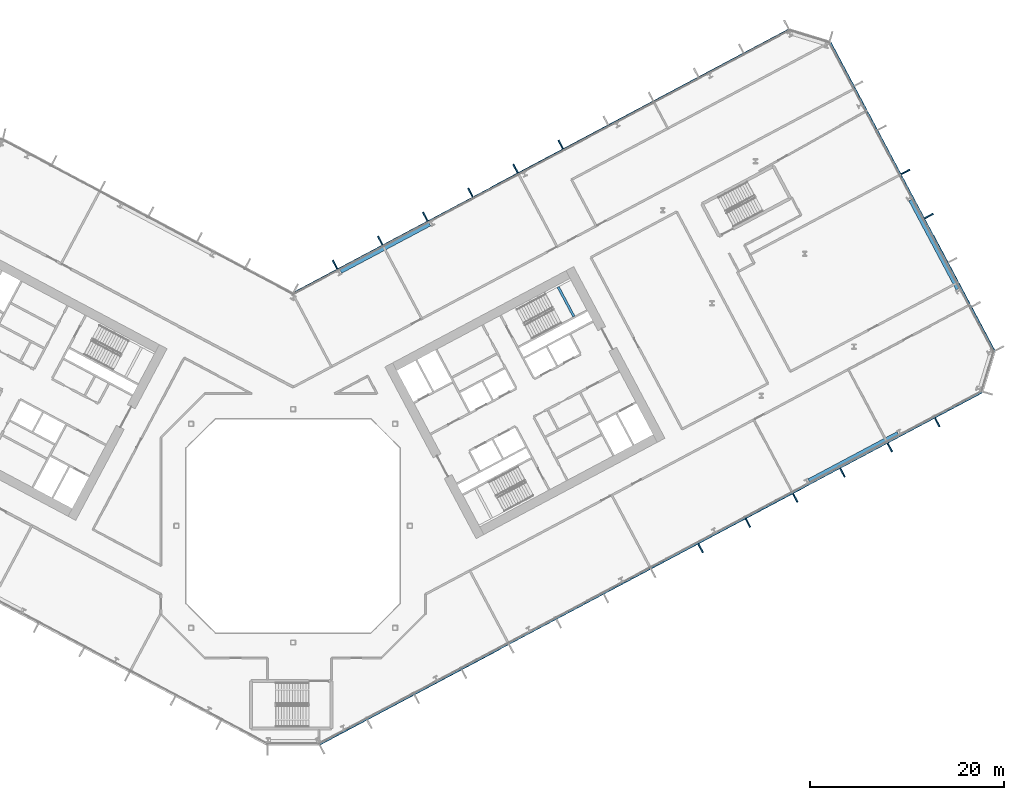
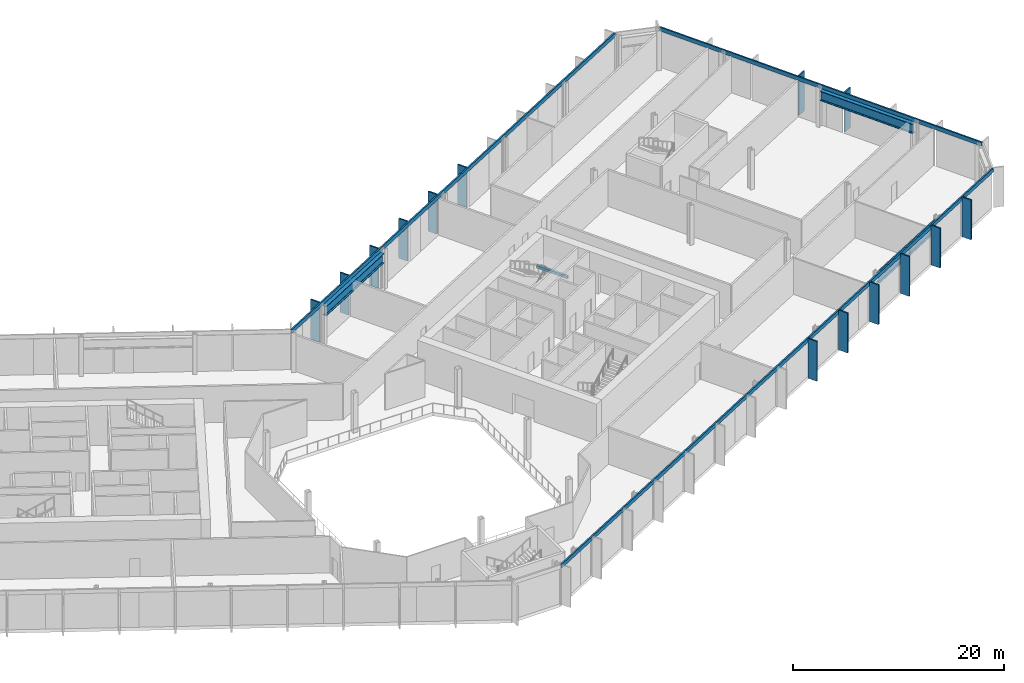
# One storey, part 8 of 31: 17 members, 4 beams, 3 elements without a shape of their own.
"""IFC4 building model written with IfcOpenShell, lengths in metres."""

from ifc_helpers import new_model, si_unit, direction, frame, origin, origin_2d, place, context, subcontext, project, spatial, rectangle, i_section, extrude, material, layer, layer_set, material_profile, profile_set, type_object, element, aggregate, save


model = new_model("IFC4")

# Units and contexts
model_context = context("Model", 3, precision=1e-05, world=origin(), true_north=direction((0.0, 1.0)))
body_context = subcontext(model_context, "Body", "Model", "MODEL_VIEW")
ifc_project = project(units=[si_unit("LENGTHUNIT", "METRE"), si_unit("AREAUNIT", "SQUARE_METRE"), si_unit("VOLUMEUNIT", "CUBIC_METRE"), si_unit("PLANEANGLEUNIT", "RADIAN"), si_unit("MASSUNIT", "GRAM", prefix="KILO")], contexts=[model_context])

# Site, building, storey
site_placement = place(None, origin())
site = spatial("IfcSite", under=ifc_project, at=site_placement, CompositionType="ELEMENT")
building_placement = place(site_placement, origin())
building = spatial("IfcBuilding", under=site, at=building_placement, Name="Cormorant Relay Tower", CompositionType="ELEMENT")
storey_placement = place(building_placement, frame((0.0, 0.0, 93.800048828125)))
storey = spatial("IfcBuildingStorey", under=building, at=storey_placement, Name="L18", CompositionType="ELEMENT", Elevation=93.800048828125)

# Curtain wall, members
ifc_material_1 = material(Name="Aluminium 6063-T6 anodised bronze", Category="aluminium")
ifc_layer = layer(ifc_material_1, 0.199951171875)
ifc_layer_set = layer_set([ifc_layer], Name="CW1 unitised bronze curtain wall with vertical fins")
curtain_wall_type = type_object("IfcCurtainWallType", Name="CW1 unitised bronze curtain wall with vertical fins", PredefinedType="NOTDEFINED", material=ifc_layer_set)
curtain_wall_1_placement = place(storey_placement, origin())
curtain_wall_1 = element("IfcCurtainWall", 1, at=curtain_wall_1_placement, inside=storey, type_object=curtain_wall_type, Name="CW1 curtain wall 2", PredefinedType="NOTDEFINED")
ifc_material_2 = material(Name="Aluminium 6063-T6 anodised bronze", Category="aluminium")
ifc_material_profile_1 = material_profile(ifc_material_2, rectangle(XDim=0.14990234375, YDim=1.0, at=origin_2d()), Name="AL 150x1000")
ifc_profile_set_1 = profile_set([ifc_material_profile_1], Name="Aluminium 6063-T6 anodised bronze")
member_type_1 = type_object("IfcMemberType", Name="CW1 bronze fin mullion 150 x 1000", PredefinedType="MULLION", material=ifc_profile_set_1)
member_1_placement = place(storey_placement, frame((41.910888671875, -2.29248046875, 0.0), z_axis=(0.0, 0.0, 1.0), x_axis=(0.882947592859, 0.469471562786, 0.0)))
member_1 = element("IfcMember", 2, at=member_1_placement, type_object=member_type_1, Name="CW1 fin 2.9", PredefinedType="MULLION", context=body_context, shape_type="SweptSolid", body=[
    extrude(rectangle(XDim=0.14990234375, YDim=1.0, at=origin_2d()), origin(), (0.0, 0.0, 1.0), 4.599853515625),
])
member_2_placement = place(storey_placement, frame((46.777587890625, 0.29541015625, 0.0), z_axis=(0.0, 0.0, 1.0), x_axis=(0.882947592859, 0.469471562786, 0.0)))
member_2 = element("IfcMember", 3, at=member_2_placement, type_object=member_type_1, Name="CW1 fin 2.10", PredefinedType="MULLION", context=body_context, shape_type="SweptSolid", body=[
    extrude(rectangle(XDim=0.14990234375, YDim=1.0, at=origin_2d()), origin(), (0.0, 0.0, 1.0), 4.599853515625),
])
member_3_placement = place(storey_placement, frame((51.644287109375, 2.8828125, 0.0), z_axis=(0.0, 0.0, 1.0), x_axis=(0.882947592859, 0.469471562786, 0.0)))
member_3 = element("IfcMember", 4, at=member_3_placement, type_object=member_type_1, Name="CW1 fin 2.11", PredefinedType="MULLION", context=body_context, shape_type="SweptSolid", body=[
    extrude(rectangle(XDim=0.14990234375, YDim=1.0, at=origin_2d()), origin(), (0.0, 0.0, 1.0), 4.599853515625),
])
member_4_placement = place(storey_placement, frame((56.510986328125, 5.470703125, 0.0), z_axis=(0.0, 0.0, 1.0), x_axis=(0.882947592859, 0.469471562786, 0.0)))
member_4 = element("IfcMember", 5, at=member_4_placement, type_object=member_type_1, Name="CW1 fin 2.12", PredefinedType="MULLION", context=body_context, shape_type="SweptSolid", body=[
    extrude(rectangle(XDim=0.14990234375, YDim=1.0, at=origin_2d()), origin(), (0.0, 0.0, 1.0), 4.599853515625),
])
member_5_placement = place(storey_placement, frame((61.377685546875, 8.058349609375, 0.0), z_axis=(0.0, 0.0, 1.0), x_axis=(0.882947592859, 0.469471562786, 0.0)))
member_5 = element("IfcMember", 6, at=member_5_placement, type_object=member_type_1, Name="CW1 fin 2.13", PredefinedType="MULLION", context=body_context, shape_type="SweptSolid", body=[
    extrude(rectangle(XDim=0.14990234375, YDim=1.0, at=origin_2d()), origin(), (0.0, 0.0, 1.0), 4.599853515625),
])
member_6_placement = place(storey_placement, frame((66.244140625, 10.64599609375, 0.0), z_axis=(0.0, 0.0, 1.0), x_axis=(0.882947592859, 0.469471562786, 0.0)))
member_6 = element("IfcMember", 7, at=member_6_placement, type_object=member_type_1, Name="CW1 fin 2.14", PredefinedType="MULLION", context=body_context, shape_type="SweptSolid", body=[
    extrude(rectangle(XDim=0.14990234375, YDim=1.0, at=origin_2d()), origin(), (0.0, 0.0, 1.0), 4.599853515625),
])

curtain_wall_2_placement = place(storey_placement, origin())
curtain_wall_2 = element("IfcCurtainWall", 8, at=curtain_wall_2_placement, inside=storey, type_object=curtain_wall_type, Name="CW1 curtain wall 4", PredefinedType="NOTDEFINED")
member_7_placement = place(storey_placement, frame((65.3974609375, 31.860107421875, 0.0), z_axis=(0.0, 0.0, 1.0), x_axis=(-0.469471562786, 0.882947592859, 0.0)))
member_7 = element("IfcMember", 9, at=member_7_placement, type_object=member_type_1, Name="CW1 fin 4.4", PredefinedType="MULLION", context=body_context, shape_type="SweptSolid", body=[
    extrude(rectangle(XDim=0.14990234375, YDim=1.0, at=origin_2d()), origin(), (0.0, 0.0, 1.0), 4.599853515625),
])
member_8_placement = place(storey_placement, frame((62.983154296875, 36.40087890625, 0.0), z_axis=(0.0, 0.0, 1.0), x_axis=(-0.469471562786, 0.882947592859, 0.0)))
member_8 = element("IfcMember", 10, at=member_8_placement, type_object=member_type_1, Name="CW1 fin 4.5", PredefinedType="MULLION", context=body_context, shape_type="SweptSolid", body=[
    extrude(rectangle(XDim=0.14990234375, YDim=1.0, at=origin_2d()), origin(), (0.0, 0.0, 1.0), 4.599853515625),
])

curtain_wall_3_placement = place(storey_placement, origin())
curtain_wall_3 = element("IfcCurtainWall", 11, at=curtain_wall_3_placement, inside=storey, type_object=curtain_wall_type, Name="CW1 curtain wall 6", PredefinedType="NOTDEFINED")
member_9_placement = place(storey_placement, frame((27.524658203125, 39.2119140625, 0.0), z_axis=(0.0, 0.0, 1.0), x_axis=(-0.882947592859, -0.469471562786, 0.0)))
member_9 = element("IfcMember", 12, at=member_9_placement, type_object=member_type_1, Name="CW1 fin 6.6", PredefinedType="MULLION", context=body_context, shape_type="SweptSolid", body=[
    extrude(rectangle(XDim=0.14990234375, YDim=1.0, at=origin_2d()), origin(), (0.0, 0.0, 1.0), 4.599853515625),
])
member_10_placement = place(storey_placement, frame((22.882568359375, 36.74365234375, 0.0), z_axis=(0.0, 0.0, 1.0), x_axis=(-0.882947592859, -0.469471562786, 0.0)))
member_10 = element("IfcMember", 13, at=member_10_placement, type_object=member_type_1, Name="CW1 fin 6.7", PredefinedType="MULLION", context=body_context, shape_type="SweptSolid", body=[
    extrude(rectangle(XDim=0.14990234375, YDim=1.0, at=origin_2d()), origin(), (0.0, 0.0, 1.0), 4.599853515625),
])
member_11_placement = place(storey_placement, frame((18.240234375, 34.275390625, 0.0), z_axis=(0.0, 0.0, 1.0), x_axis=(-0.882947592859, -0.469471562786, 0.0)))
member_11 = element("IfcMember", 14, at=member_11_placement, type_object=member_type_1, Name="CW1 fin 6.8", PredefinedType="MULLION", context=body_context, shape_type="SweptSolid", body=[
    extrude(rectangle(XDim=0.14990234375, YDim=1.0, at=origin_2d()), origin(), (0.0, 0.0, 1.0), 4.599853515625),
])
member_12_placement = place(storey_placement, frame((13.597900390625, 31.806884765625, 0.0), z_axis=(0.0, 0.0, 1.0), x_axis=(-0.882947592859, -0.469471562786, 0.0)))
member_12 = element("IfcMember", 15, at=member_12_placement, type_object=member_type_1, Name="CW1 fin 6.9", PredefinedType="MULLION", context=body_context, shape_type="SweptSolid", body=[
    extrude(rectangle(XDim=0.14990234375, YDim=1.0, at=origin_2d()), origin(), (0.0, 0.0, 1.0), 4.599853515625),
])
member_13_placement = place(storey_placement, frame((8.955810546875, 29.338623046875, 0.0), z_axis=(0.0, 0.0, 1.0), x_axis=(-0.882947592859, -0.469471562786, 0.0)))
member_13 = element("IfcMember", 16, at=member_13_placement, type_object=member_type_1, Name="CW1 fin 6.10", PredefinedType="MULLION", context=body_context, shape_type="SweptSolid", body=[
    extrude(rectangle(XDim=0.14990234375, YDim=1.0, at=origin_2d()), origin(), (0.0, 0.0, 1.0), 4.599853515625),
])
member_14_placement = place(storey_placement, frame((4.313720703125, 26.870361328125, 0.0), z_axis=(0.0, 0.0, 1.0), x_axis=(-0.882947592859, -0.469471562786, 0.0)))
member_14 = element("IfcMember", 17, at=member_14_placement, type_object=member_type_1, Name="CW1 fin 6.11", PredefinedType="MULLION", context=body_context, shape_type="SweptSolid", body=[
    extrude(rectangle(XDim=0.14990234375, YDim=1.0, at=origin_2d()), origin(), (0.0, 0.0, 1.0), 4.599853515625),
])

# Member
ifc_material_3 = material(Name="Aluminium 6063-T6 anodised bronze", Category="aluminium")
ifc_material_profile_2 = material_profile(ifc_material_3, rectangle(XDim=0.159912109375, YDim=0.449951171875, at=origin_2d()), Name="AL 160x450")
ifc_profile_set_2 = profile_set([ifc_material_profile_2], Name="Aluminium 6063-T6 anodised bronze")
member_type_2 = type_object("IfcMemberType", Name="CW1 bronze transom 160 x 450", PredefinedType="USERDEFINED", material=ifc_profile_set_2)
member_15_placement = place(storey_placement, frame((2.705078125, -22.4814453125, 4.375), z_axis=(0.882948654677, 0.46946956579, 0.0), x_axis=(-0.46946956579, 0.882948654677, 0.0)))
member_15 = element("IfcMember", 18, at=member_15_placement, type_object=member_type_2, Name="CW1 transom 2", ObjectType="TRANSOM", PredefinedType="USERDEFINED", context=body_context, shape_type="SweptSolid", body=[
    extrude(rectangle(XDim=0.159912109375, YDim=0.449951171875, at=origin_2d()), origin(), (0.0, 0.0, 1.0), 77.166015625),
])

aggregate(curtain_wall_1, [member_1, member_2, member_3, member_4, member_5, member_6, member_15])

member_16_placement = place(storey_placement, frame((72.128662109375, 17.965087890625, 4.375), z_axis=(-0.469469230355, 0.88294883303, 0.0), x_axis=(-0.88294883303, -0.469469230355, 0.0)))
member_16 = element("IfcMember", 19, at=member_16_placement, type_object=member_type_2, Name="CW1 transom 4", ObjectType="TRANSOM", PredefinedType="USERDEFINED", context=body_context, shape_type="SweptSolid", body=[
    extrude(rectangle(XDim=0.159912109375, YDim=0.449951171875, at=origin_2d()), origin(), (0.0, 0.0, 1.0), 36.0),
])

aggregate(curtain_wall_2, [member_7, member_8, member_16])

member_17_placement = place(storey_placement, frame((51.008056640625, 51.04150390625, 4.375), z_axis=(-0.882946446228, -0.469473719279, 0.0), x_axis=(0.469473719279, -0.882946446228, 0.0)))
member_17 = element("IfcMember", 20, at=member_17_placement, type_object=member_type_2, Name="CW1 transom 6", ObjectType="TRANSOM", PredefinedType="USERDEFINED", context=body_context, shape_type="SweptSolid", body=[
    extrude(rectangle(XDim=0.159912109375, YDim=0.449951171875, at=origin_2d()), origin(), (0.0, 0.0, 1.0), 57.834228515625),
])

aggregate(curtain_wall_3, [member_9, member_10, member_11, member_12, member_13, member_14, member_17])

# Beams
ifc_material_4 = material(Name="Steel ASTM A992 (Fy 345 MPa)", Category="steel")
ifc_material_profile_3 = material_profile(ifc_material_4, i_section(OverallWidth=0.40380859375, OverallDepth=1.11767578125, WebThickness=0.026123046875, FlangeThickness=0.044921875, FilletRadius=0.02001953125, at=origin_2d()), Name="W1100x499")
ifc_profile_set_3 = profile_set([ifc_material_profile_3], Name="Steel ASTM A992 (Fy 345 MPa)")
beam_type_1 = type_object("IfcBeamType", Name="Spandrel W1100x499", PredefinedType="SPANDREL", material=ifc_profile_set_3)
for number, where, z_axis, x_axis, name in (
    (21, (53.0390625, 4.64599609375, 3.64111328125), (0.882937138632, 0.469491223799, 0.0), (-0.469491223799, 0.882937138632, 0.0), "Spandrel beam L18-002"),
    (22, (68.364990234375, 24.358154296875, 3.64111328125), (-0.469491223799, 0.882937138632, 0.0), (-0.882937138632, -0.469491223799, 0.0), "Spandrel beam L18-004"),
    (23, (14.06494140625, 31.03369140625, 3.64111328125), (-0.882946891921, -0.469472881056, 0.0), (0.469472881056, -0.882946891921, 0.0), "Spandrel beam L18-006"),
):
    element("IfcBeam", number, at=place(storey_placement, frame(where, z_axis=z_axis, x_axis=x_axis)), inside=storey, type_object=beam_type_1, Name=name, PredefinedType="SPANDREL", context=body_context, shape_type="SweptSolid", body=[
        extrude(i_section(OverallWidth=0.40380859375, OverallDepth=1.11767578125, WebThickness=0.026123046875, FlangeThickness=0.044921875, FilletRadius=0.02001953125, at=origin_2d()), origin(), (0.0, 0.0, 1.0), 10.376220703125),
    ])
ifc_material_5 = material(Name="Concrete 50 MPa", Category="concrete")
ifc_material_profile_4 = material_profile(ifc_material_5, rectangle(XDim=0.25, YDim=0.300048828125, at=origin_2d()), Name="RC 250x300")
ifc_profile_set_4 = profile_set([ifc_material_profile_4], Name="Concrete 50 MPa")
beam_type_2 = type_object("IfcBeamType", Name="Stair landing ledge beam 250x300", PredefinedType="BEAM", material=ifc_profile_set_4)
beam_placement = place(storey_placement, frame((28.878662109375, 21.527587890625, 1.949951171875), z_axis=(-0.469463917486, 0.882951657895, 0.0), x_axis=(-0.882951657895, -0.469463917486, 0.0)))
element("IfcBeam", 24, at=beam_placement, inside=storey, type_object=beam_type_2, Name="B2 landing ledge beam", PredefinedType="BEAM", context=body_context, shape_type="SweptSolid", body=[
    extrude(rectangle(XDim=0.25, YDim=0.300048828125, at=origin_2d()), origin(), (0.0, 0.0, 1.0), 3.449951171875),
])

save(model, "model.ifc")
